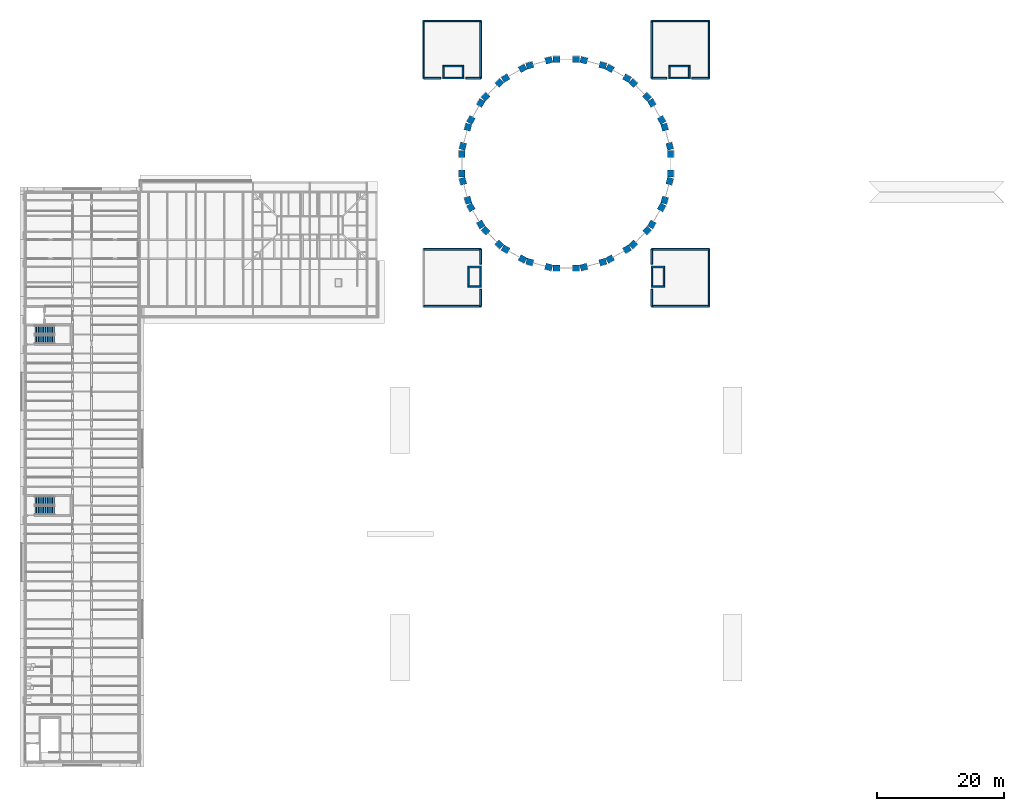
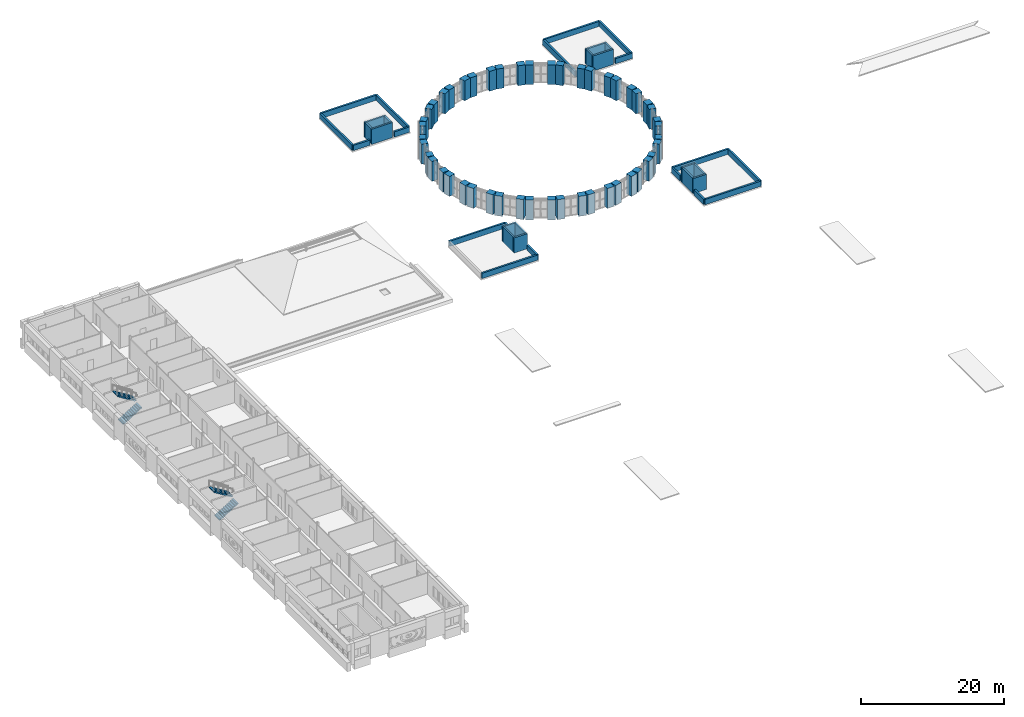
# One storey, part 30 of 42: 83 walls, 4 stair flights, 2 elements without a shape of their own.
"""IFC4 building model written with IfcOpenShell, lengths in metres."""

from ifc_helpers import new_model, si_unit, direction, frame, frame_2d, origin, place, context, subcontext, project, spatial, polyline, rectangle, outline, extrude, material, layer, layer_set, type_object, element, aggregate, save


model = new_model("IFC4")

# Units and contexts
model_context = context("Model", 3, precision=1e-05, world=origin(), true_north=direction((0.0, 1.0)))
body_context = subcontext(model_context, "Body", "Model", "MODEL_VIEW")
ifc_project = project(units=[si_unit("LENGTHUNIT", "METRE"), si_unit("AREAUNIT", "SQUARE_METRE"), si_unit("VOLUMEUNIT", "CUBIC_METRE"), si_unit("PLANEANGLEUNIT", "RADIAN"), si_unit("MASSUNIT", "GRAM", prefix="KILO")], contexts=[model_context])

# Site, building, storey
site_placement = place(None, origin())
site = spatial("IfcSite", under=ifc_project, at=site_placement, CompositionType="ELEMENT")
building_placement = place(site_placement, origin())
building = spatial("IfcBuilding", under=site, at=building_placement, Name="Golden Quay Civic Hall", CompositionType="ELEMENT")
storey_placement = place(building_placement, frame((0.0, 0.0, 22.800048828125)))
storey = spatial("IfcBuildingStorey", under=building, at=storey_placement, Name="L05", CompositionType="ELEMENT", Elevation=22.800048828125)

# Walls
ifc_material_1 = material(Name="Concrete C40/50", Category="concrete")
ifc_layer_1 = layer(ifc_material_1, 1.0)
ifc_layer_set_1 = layer_set([ifc_layer_1], Name="Reinforced concrete drum wall 1000, Concrete C40/50")
wall_type_1 = type_object("IfcWallType", Name="Reinforced concrete drum wall 1000", PredefinedType="SHEAR", material=ifc_layer_set_1)
for number, where, z_axis, x_axis, name in (
    (1, (101.98291015625, 87.73583984375, 0.300048828125), (0.0, 0.0, 1.0), (-0.258802254758, 0.965930325092, 0.0), "Council drum upper pier 1.1"),
    (2, (101.178955078125, 90.736328125, 0.300048828125), (0.0, 0.0, 1.0), (-0.258802254758, 0.965930325092, 0.0), "Council drum upper pier 1.2"),
    (3, (100.842529296875, 91.92578125, 0.300048828125), (0.0, 0.0, 1.0), (-0.499983483481, 0.866034939391, 0.0), "Council drum upper pier 2.1"),
    (4, (99.289306640625, 94.615966796875, 0.300048828125), (0.0, 0.0, 1.0), (-0.499983483481, 0.866034939391, 0.0), "Council drum upper pier 2.2"),
    (5, (98.65673828125, 95.677734375, 0.300048828125), (0.0, 0.0, 1.0), (-0.706996442298, 0.70721710286, 0.0), "Council drum upper pier 3.1"),
    (6, (96.460205078125, 97.87451171875, 0.300048828125), (0.0, 0.0, 1.0), (-0.70721710286, 0.706996442298, 0.0), "Council drum upper pier 3.2"),
    (7, (95.57421875, 98.736083984375, 0.300048828125), (0.0, 0.0, 1.0), (-0.866034939391, 0.499983483481, 0.0), "Council drum upper pier 4.1"),
    (8, (92.884033203125, 100.289306640625, 0.300048828125), (0.0, 0.0, 1.0), (-0.866034939391, 0.499983483481, 0.0), "Council drum upper pier 4.2"),
    (9, (91.80517578125, 100.892578125, 0.300048828125), (0.0, 0.0, 1.0), (-0.965930325092, 0.258802254758, 0.0), "Council drum upper pier 5.1"),
    (10, (88.8046875, 101.696533203125, 0.300048828125), (0.0, 0.0, 1.0), (-0.965930325092, 0.258802254758, 0.0), "Council drum upper pier 5.2"),
    (11, (87.6064453125, 102.0, 0.300048828125), (0.0, 0.0, 1.0), (-1.0, 0.0, 0.0), "Council drum upper pier 6.1"),
    (12, (84.5, 102.0, 0.300048828125), (0.0, 0.0, 1.0), (-1.0, 0.0, 0.0), "Council drum upper pier 6.2"),
    (13, (83.26416015625, 101.98291015625, 0.300048828125), (0.0, 0.0, 1.0), (-0.965930325092, -0.258802254758, 0.0), "Council drum upper pier 7.1"),
    (14, (80.263671875, 101.178955078125, 0.300048828125), (0.0, 0.0, 1.0), (-0.965930325092, -0.258802254758, 0.0), "Council drum upper pier 7.2"),
    (15, (79.07421875, 100.842529296875, 0.300048828125), (0.0, 0.0, 1.0), (-0.866034939391, -0.499983483481, 0.0), "Council drum upper pier 8.1"),
    (16, (76.384033203125, 99.289306640625, 0.300048828125), (0.0, 0.0, 1.0), (-0.866034939391, -0.499983483481, 0.0), "Council drum upper pier 8.2"),
    (17, (75.322265625, 98.65673828125, 0.300048828125), (0.0, 0.0, 1.0), (-0.70721710286, -0.706996442298, 0.0), "Council drum upper pier 9.1"),
    (18, (73.12548828125, 96.460205078125, 0.300048828125), (0.0, 0.0, 1.0), (-0.706996442298, -0.70721710286, 0.0), "Council drum upper pier 9.2"),
    (19, (72.263916015625, 95.57421875, 0.300048828125), (0.0, 0.0, 1.0), (-0.499983483481, -0.866034939391, 0.0), "Council drum upper pier 10.1"),
    (20, (70.710693359375, 92.884033203125, 0.300048828125), (0.0, 0.0, 1.0), (-0.499983483481, -0.866034939391, 0.0), "Council drum upper pier 10.2"),
    (21, (70.107421875, 91.80517578125, 0.300048828125), (0.0, 0.0, 1.0), (-0.258802254758, -0.965930325092, 0.0), "Council drum upper pier 11.1"),
    (22, (69.303466796875, 88.8046875, 0.300048828125), (0.0, 0.0, 1.0), (-0.258802254758, -0.965930325092, 0.0), "Council drum upper pier 11.2"),
    (23, (69.0, 87.6064453125, 0.300048828125), (0.0, 0.0, 1.0), (0.0, -1.0, 0.0), "Council drum upper pier 12.1"),
    (24, (69.0, 84.5, 0.300048828125), (0.0, 0.0, 1.0), (0.0, -1.0, 0.0), "Council drum upper pier 12.2"),
    (25, (69.01708984375, 83.26416015625, 0.300048828125), (0.0, 0.0, 1.0), (0.258802254758, -0.965930325092, 0.0), "Council drum upper pier 13.1"),
    (26, (69.821044921875, 80.263671875, 0.300048828125), (0.0, 0.0, 1.0), (0.258802254758, -0.965930325092, 0.0), "Council drum upper pier 13.2"),
    (27, (70.157470703125, 79.07421875, 0.300048828125), (0.0, 0.0, 1.0), (0.499983483481, -0.866034939391, 0.0), "Council drum upper pier 14.1"),
    (28, (71.710693359375, 76.384033203125, 0.300048828125), (0.0, 0.0, 1.0), (0.499983483481, -0.866034939391, 0.0), "Council drum upper pier 14.2"),
    (29, (72.34326171875, 75.322265625, 0.300048828125), (0.0, 0.0, 1.0), (0.706996442298, -0.70721710286, 0.0), "Council drum upper pier 15.1"),
    (30, (74.539794921875, 73.12548828125, 0.300048828125), (0.0, 0.0, 1.0), (0.70721710286, -0.706996442298, 0.0), "Council drum upper pier 15.2"),
    (31, (75.42578125, 72.263916015625, 0.300048828125), (0.0, 0.0, 1.0), (0.866034939391, -0.499983483481, 0.0), "Council drum upper pier 16.1"),
    (32, (78.115966796875, 70.710693359375, 0.300048828125), (0.0, 0.0, 1.0), (0.866034939391, -0.499983483481, 0.0), "Council drum upper pier 16.2"),
    (33, (79.19482421875, 70.107421875, 0.300048828125), (0.0, 0.0, 1.0), (0.965930325092, -0.258802254758, 0.0), "Council drum upper pier 17.1"),
    (34, (82.1953125, 69.303466796875, 0.300048828125), (0.0, 0.0, 1.0), (0.965930325092, -0.258802254758, 0.0), "Council drum upper pier 17.2"),
    (35, (83.3935546875, 69.0, 0.300048828125), (0.0, 0.0, 1.0), (1.0, 0.0, 0.0), "Council drum upper pier 18.1"),
    (36, (86.5, 69.0, 0.300048828125), (0.0, 0.0, 1.0), (1.0, 0.0, 0.0), "Council drum upper pier 18.2"),
    (37, (87.73583984375, 69.01708984375, 0.300048828125), (0.0, 0.0, 1.0), (0.965930325092, 0.258802254758, 0.0), "Council drum upper pier 19.1"),
    (38, (90.736328125, 69.821044921875, 0.300048828125), (0.0, 0.0, 1.0), (0.965930325092, 0.258802254758, 0.0), "Council drum upper pier 19.2"),
    (39, (91.92578125, 70.157470703125, 0.300048828125), (0.0, 0.0, 1.0), (0.866034939391, 0.499983483481, 0.0), "Council drum upper pier 20.1"),
    (40, (94.615966796875, 71.710693359375, 0.300048828125), (0.0, 0.0, 1.0), (0.866034939391, 0.499983483481, 0.0), "Council drum upper pier 20.2"),
    (41, (95.677734375, 72.34326171875, 0.300048828125), (0.0, 0.0, 1.0), (0.70721710286, 0.706996442298, 0.0), "Council drum upper pier 21.1"),
    (42, (97.87451171875, 74.539794921875, 0.300048828125), (0.0, 0.0, 1.0), (0.706996442298, 0.70721710286, 0.0), "Council drum upper pier 21.2"),
    (43, (98.736083984375, 75.42578125, 0.300048828125), (0.0, 0.0, 1.0), (0.499983483481, 0.866034939391, 0.0), "Council drum upper pier 22.1"),
    (44, (100.289306640625, 78.115966796875, 0.300048828125), (0.0, 0.0, 1.0), (0.499983483481, 0.866034939391, 0.0), "Council drum upper pier 22.2"),
    (45, (100.892578125, 79.19482421875, 0.300048828125), (0.0, 0.0, 1.0), (0.258802254758, 0.965930325092, 0.0), "Council drum upper pier 23.1"),
    (46, (101.696533203125, 82.1953125, 0.300048828125), (0.0, 0.0, 1.0), (0.258802254758, 0.965930325092, 0.0), "Council drum upper pier 23.2"),
    (47, (102.0, 83.3935546875, 0.300048828125), (0.0, 0.0, 1.0), (0.0, 1.0, 0.0), "Council drum upper pier 24.1"),
    (48, (102.0, 86.5, 0.300048828125), (0.0, 0.0, 1.0), (0.0, 1.0, 0.0), "Council drum upper pier 24.2"),
):
    element("IfcWall", number, at=place(storey_placement, frame(where, z_axis=z_axis, x_axis=x_axis)), inside=storey, type_object=wall_type_1, Name=name, PredefinedType="SHEAR", context=body_context, shape_type="SweptSolid", body=[
        extrude(rectangle(XDim=1.1064453125, YDim=1.0, at=frame_2d((0.55322265625, 0.0))), origin(), (0.0, 0.0, 1.0), 3.39990234375),
    ])
ifc_material_2 = material(Name="Concrete C40/50", Category="concrete")
ifc_layer_2 = layer(ifc_material_2, 0.25)
ifc_layer_set_2 = layer_set([ifc_layer_2], Name="Reinforced concrete lift overrun wall 250, Concrete C40/50")
wall_type_2 = type_object("IfcWallType", Name="Reinforced concrete lift overrun wall 250", PredefinedType="SHEAR", material=ifc_layer_set_2)
for number, where, z_axis, x_axis, name in (
    (49, (69.949951171875, 66.074951171875, 0.0), (0.0, 0.0, 1.0), (1.0, 0.0, 0.0), "Lift overrun wall SW s"),
    (50, (69.949951171875, 69.175048828125, 0.0), (0.0, 0.0, 1.0), (1.0, 0.0, 0.0), "Lift overrun wall SW n"),
):
    element("IfcWall", number, at=place(storey_placement, frame(where, z_axis=z_axis, x_axis=x_axis)), inside=storey, type_object=wall_type_2, Name=name, PredefinedType="SHEAR", context=body_context, shape_type="SweptSolid", body=[
        extrude(rectangle(XDim=2.150146484375, YDim=0.25, at=frame_2d((1.0751953125, 0.0))), origin(), (0.0, 0.0, 1.0), 2.599853515625),
    ])
for number, where, z_axis, x_axis, name in (
    (51, (70.074951171875, 66.199951171875, 0.0), (0.0, 0.0, 1.0), (0.0, 1.0, 0.0), "Lift overrun wall SW w"),
    (52, (71.97509765625, 66.199951171875, 0.0), (0.0, 0.0, 1.0), (0.0, 1.0, 0.0), "Lift overrun wall SW e"),
):
    element("IfcWall", number, at=place(storey_placement, frame(where, z_axis=z_axis, x_axis=x_axis)), inside=storey, type_object=wall_type_2, Name=name, PredefinedType="SHEAR", context=body_context, shape_type="SweptSolid", body=[
        extrude(rectangle(XDim=2.85009765625, YDim=0.25, at=frame_2d((1.425048828125, 0.0))), origin(), (0.0, 0.0, 1.0), 2.599853515625),
    ])
for number, where, z_axis, x_axis, name in (
    (53, (98.89990234375, 66.074951171875, 0.0), (0.0, 0.0, 1.0), (1.0, 0.0, 0.0), "Lift overrun wall SE s"),
    (54, (98.89990234375, 69.175048828125, 0.0), (0.0, 0.0, 1.0), (1.0, 0.0, 0.0), "Lift overrun wall SE n"),
):
    element("IfcWall", number, at=place(storey_placement, frame(where, z_axis=z_axis, x_axis=x_axis)), inside=storey, type_object=wall_type_2, Name=name, PredefinedType="SHEAR", context=body_context, shape_type="SweptSolid", body=[
        extrude(rectangle(XDim=2.150146484375, YDim=0.25, at=frame_2d((1.0751953125, 0.0))), origin(), (0.0, 0.0, 1.0), 2.599853515625),
    ])
for number, where, z_axis, x_axis, name in (
    (55, (99.02490234375, 66.199951171875, 0.0), (0.0, 0.0, 1.0), (0.0, 1.0, 0.0), "Lift overrun wall SE w"),
    (56, (100.925048828125, 66.199951171875, 0.0), (0.0, 0.0, 1.0), (0.0, 1.0, 0.0), "Lift overrun wall SE e"),
):
    element("IfcWall", number, at=place(storey_placement, frame(where, z_axis=z_axis, x_axis=x_axis)), inside=storey, type_object=wall_type_2, Name=name, PredefinedType="SHEAR", context=body_context, shape_type="SweptSolid", body=[
        extrude(rectangle(XDim=2.85009765625, YDim=0.25, at=frame_2d((1.425048828125, 0.0))), origin(), (0.0, 0.0, 1.0), 2.599853515625),
    ])
for number, where, z_axis, x_axis, name in (
    (57, (65.949951171875, 99.02490234375, 0.0), (0.0, 0.0, 1.0), (1.0, 0.0, 0.0), "Lift overrun wall NW s"),
    (58, (65.949951171875, 100.925048828125, 0.0), (0.0, 0.0, 1.0), (1.0, 0.0, 0.0), "Lift overrun wall NW n"),
):
    element("IfcWall", number, at=place(storey_placement, frame(where, z_axis=z_axis, x_axis=x_axis)), inside=storey, type_object=wall_type_2, Name=name, PredefinedType="SHEAR", context=body_context, shape_type="SweptSolid", body=[
        extrude(rectangle(XDim=3.35009765625, YDim=0.25, at=frame_2d((1.675048828125, 0.0))), origin(), (0.0, 0.0, 1.0), 2.599853515625),
    ])
for number, where, z_axis, x_axis, name in (
    (59, (66.074951171875, 99.14990234375, 0.0), (0.0, 0.0, 1.0), (0.0, 1.0, 0.0), "Lift overrun wall NW w"),
    (60, (69.175048828125, 99.14990234375, 0.0), (0.0, 0.0, 1.0), (0.0, 1.0, 0.0), "Lift overrun wall NW e"),
):
    element("IfcWall", number, at=place(storey_placement, frame(where, z_axis=z_axis, x_axis=x_axis)), inside=storey, type_object=wall_type_2, Name=name, PredefinedType="SHEAR", context=body_context, shape_type="SweptSolid", body=[
        extrude(rectangle(XDim=1.650146484375, YDim=0.25, at=frame_2d((0.8251953125, 0.0))), origin(), (0.0, 0.0, 1.0), 2.599853515625),
    ])
for number, where, z_axis, x_axis, name in (
    (61, (101.699951171875, 99.02490234375, 0.0), (0.0, 0.0, 1.0), (1.0, 0.0, 0.0), "Lift overrun wall NE s"),
    (62, (101.699951171875, 100.925048828125, 0.0), (0.0, 0.0, 1.0), (1.0, 0.0, 0.0), "Lift overrun wall NE n"),
):
    element("IfcWall", number, at=place(storey_placement, frame(where, z_axis=z_axis, x_axis=x_axis)), inside=storey, type_object=wall_type_2, Name=name, PredefinedType="SHEAR", context=body_context, shape_type="SweptSolid", body=[
        extrude(rectangle(XDim=3.35009765625, YDim=0.25, at=frame_2d((1.675048828125, 0.0))), origin(), (0.0, 0.0, 1.0), 2.599853515625),
    ])
for number, where, z_axis, x_axis, name in (
    (63, (101.824951171875, 99.14990234375, 0.0), (0.0, 0.0, 1.0), (0.0, 1.0, 0.0), "Lift overrun wall NE w"),
    (64, (104.925048828125, 99.14990234375, 0.0), (0.0, 0.0, 1.0), (0.0, 1.0, 0.0), "Lift overrun wall NE e"),
):
    element("IfcWall", number, at=place(storey_placement, frame(where, z_axis=z_axis, x_axis=x_axis)), inside=storey, type_object=wall_type_2, Name=name, PredefinedType="SHEAR", context=body_context, shape_type="SweptSolid", body=[
        extrude(rectangle(XDim=1.650146484375, YDim=0.25, at=frame_2d((0.8251953125, 0.0))), origin(), (0.0, 0.0, 1.0), 2.599853515625),
    ])
ifc_material_3 = material(Name="Brick masonry with render", Category="masonry")
ifc_layer_3 = layer(ifc_material_3, 0.300048828125)
ifc_layer_set_3 = layer_set([ifc_layer_3], Name="Rendered brick parapet 300")
wall_type_3 = type_object("IfcWallType", Name="Rendered brick parapet 300", PredefinedType="PARAPET", material=ifc_layer_set_3)
wall_1_placement = place(storey_placement, frame((62.949951171875, 62.949951171875, 0.0), z_axis=(0.0, 0.0, 1.0), x_axis=(1.0, 0.0, 0.0)))
element("IfcWall", 65, at=wall_1_placement, inside=storey, type_object=wall_type_3, Name="Core roof parapet SW 1", PredefinedType="PARAPET", context=body_context, shape_type="SweptSolid", body=[
    extrude(rectangle(XDim=9.050048828125, YDim=0.300048828125, at=frame_2d((4.52490234375, 0.0))), origin(), (0.0, 0.0, 1.0), 0.89990234375),
])
wall_2_placement = place(storey_placement, frame((72.0, 62.949951171875, 0.0), z_axis=(0.0, 0.0, 1.0), x_axis=(0.0, 1.0, 0.0)))
element("IfcWall", 66, at=wall_2_placement, inside=storey, type_object=wall_type_3, Name="Core roof parapet SW 2", PredefinedType="PARAPET", context=body_context, shape_type="SweptSolid", body=[
    extrude(rectangle(XDim=2.699951171875, YDim=0.300048828125, at=frame_2d((1.35009765625, 0.0))), origin(), (0.0, 0.0, 1.0), 0.89990234375),
])
wall_3_placement = place(storey_placement, frame((72.0, 69.60009765625, 0.0), z_axis=(0.0, 0.0, 1.0), x_axis=(0.0, 1.0, 0.0)))
element("IfcWall", 67, at=wall_3_placement, inside=storey, type_object=wall_type_3, Name="Core roof parapet SW 3", PredefinedType="PARAPET", context=body_context, shape_type="SweptSolid", body=[
    extrude(rectangle(XDim=2.39990234375, YDim=0.300048828125, at=frame_2d((1.199951171875, 0.0))), origin(), (0.0, 0.0, 1.0), 0.89990234375),
])
for number, where, z_axis, x_axis, name in (
    (68, (72.0, 72.0, 0.0), (0.0, 0.0, 1.0), (-1.0, 0.0, 0.0), "Core roof parapet SW 4"),
    (69, (99.0, 62.949951171875, 0.0), (0.0, 0.0, 1.0), (1.0, 0.0, 0.0), "Core roof parapet SE 1"),
    (70, (108.050048828125, 62.949951171875, 0.0), (0.0, 0.0, 1.0), (0.0, 1.0, 0.0), "Core roof parapet SE 2"),
    (71, (108.050048828125, 72.0, 0.0), (0.0, 0.0, 1.0), (-1.0, 0.0, 0.0), "Core roof parapet SE 3"),
):
    element("IfcWall", number, at=place(storey_placement, frame(where, z_axis=z_axis, x_axis=x_axis)), inside=storey, type_object=wall_type_3, Name=name, PredefinedType="PARAPET", context=body_context, shape_type="SweptSolid", body=[
        extrude(rectangle(XDim=9.050048828125, YDim=0.300048828125, at=frame_2d((4.52490234375, 0.0))), origin(), (0.0, 0.0, 1.0), 0.89990234375),
    ])
wall_4_placement = place(storey_placement, frame((99.0, 72.0, 0.0), z_axis=(0.0, 0.0, 1.0), x_axis=(0.0, -1.0, 0.0)))
element("IfcWall", 72, at=wall_4_placement, inside=storey, type_object=wall_type_3, Name="Core roof parapet SE 4", PredefinedType="PARAPET", context=body_context, shape_type="SweptSolid", body=[
    extrude(rectangle(XDim=2.39990234375, YDim=0.300048828125, at=frame_2d((1.199951171875, 0.0))), origin(), (0.0, 0.0, 1.0), 0.89990234375),
])
for number, where, z_axis, x_axis, name in (
    (73, (99.0, 65.64990234375, 0.0), (0.0, 0.0, 1.0), (0.0, -1.0, 0.0), "Core roof parapet SE 5"),
    (74, (62.949951171875, 99.0, 0.0), (0.0, 0.0, 1.0), (1.0, 0.0, 0.0), "Core roof parapet NW 1"),
):
    element("IfcWall", number, at=place(storey_placement, frame(where, z_axis=z_axis, x_axis=x_axis)), inside=storey, type_object=wall_type_3, Name=name, PredefinedType="PARAPET", context=body_context, shape_type="SweptSolid", body=[
        extrude(rectangle(XDim=2.699951171875, YDim=0.300048828125, at=frame_2d((1.35009765625, 0.0))), origin(), (0.0, 0.0, 1.0), 0.89990234375),
    ])
wall_5_placement = place(storey_placement, frame((69.60009765625, 99.0, 0.0), z_axis=(0.0, 0.0, 1.0), x_axis=(1.0, 0.0, 0.0)))
element("IfcWall", 75, at=wall_5_placement, inside=storey, type_object=wall_type_3, Name="Core roof parapet NW 2", PredefinedType="PARAPET", context=body_context, shape_type="SweptSolid", body=[
    extrude(rectangle(XDim=2.39990234375, YDim=0.300048828125, at=frame_2d((1.199951171875, 0.0))), origin(), (0.0, 0.0, 1.0), 0.89990234375),
])
for number, where, z_axis, x_axis, name in (
    (76, (72.0, 99.0, 0.0), (0.0, 0.0, 1.0), (0.0, 1.0, 0.0), "Core roof parapet NW 3"),
    (77, (72.0, 108.050048828125, 0.0), (0.0, 0.0, 1.0), (-1.0, 0.0, 0.0), "Core roof parapet NW 4"),
    (78, (62.949951171875, 108.050048828125, 0.0), (0.0, 0.0, 1.0), (0.0, -1.0, 0.0), "Core roof parapet NW 5"),
):
    element("IfcWall", number, at=place(storey_placement, frame(where, z_axis=z_axis, x_axis=x_axis)), inside=storey, type_object=wall_type_3, Name=name, PredefinedType="PARAPET", context=body_context, shape_type="SweptSolid", body=[
        extrude(rectangle(XDim=9.050048828125, YDim=0.300048828125, at=frame_2d((4.52490234375, 0.0))), origin(), (0.0, 0.0, 1.0), 0.89990234375),
    ])
wall_6_placement = place(storey_placement, frame((99.0, 99.0, 0.0), z_axis=(0.0, 0.0, 1.0), x_axis=(1.0, 0.0, 0.0)))
element("IfcWall", 79, at=wall_6_placement, inside=storey, type_object=wall_type_3, Name="Core roof parapet NE 1", PredefinedType="PARAPET", context=body_context, shape_type="SweptSolid", body=[
    extrude(rectangle(XDim=2.39990234375, YDim=0.300048828125, at=frame_2d((1.199951171875, 0.0))), origin(), (0.0, 0.0, 1.0), 0.89990234375),
])
wall_7_placement = place(storey_placement, frame((105.35009765625, 99.0, 0.0), z_axis=(0.0, 0.0, 1.0), x_axis=(1.0, 0.0, 0.0)))
element("IfcWall", 80, at=wall_7_placement, inside=storey, type_object=wall_type_3, Name="Core roof parapet NE 2", PredefinedType="PARAPET", context=body_context, shape_type="SweptSolid", body=[
    extrude(rectangle(XDim=2.699951171875, YDim=0.300048828125, at=frame_2d((1.35009765625, 0.0))), origin(), (0.0, 0.0, 1.0), 0.89990234375),
])
for number, where, z_axis, x_axis, name in (
    (81, (108.050048828125, 99.0, 0.0), (0.0, 0.0, 1.0), (0.0, 1.0, 0.0), "Core roof parapet NE 3"),
    (82, (108.050048828125, 108.050048828125, 0.0), (0.0, 0.0, 1.0), (-1.0, 0.0, 0.0), "Core roof parapet NE 4"),
    (83, (99.0, 108.050048828125, 0.0), (0.0, 0.0, 1.0), (0.0, -1.0, 0.0), "Core roof parapet NE 5"),
):
    element("IfcWall", number, at=place(storey_placement, frame(where, z_axis=z_axis, x_axis=x_axis)), inside=storey, type_object=wall_type_3, Name=name, PredefinedType="PARAPET", context=body_context, shape_type="SweptSolid", body=[
        extrude(rectangle(XDim=9.050048828125, YDim=0.300048828125, at=frame_2d((4.52490234375, 0.0))), origin(), (0.0, 0.0, 1.0), 0.89990234375),
    ])

# Stair, stair flights
ifc_material_4 = material(Name="Concrete C35/45", Category="concrete")
stair_type = type_object("IfcStairType", Name="Concrete stair 1350 wide 24 risers of 175.0", PredefinedType="HALF_TURN_STAIR", material=ifc_material_4)
stair_1_placement = place(storey_placement, origin())
stair_1 = element("IfcStair", 84, at=stair_1_placement, inside=storey, type_object=stair_type, Name="L05 Stair WO-N", PredefinedType="HALF_TURN_STAIR")
ifc_material_5 = material(Name="Concrete C35/45", Category="concrete")
stair_flight_type = type_object("IfcStairFlightType", Name="Concrete stair flight 1350 wide 12 risers of 175.0", PredefinedType="STRAIGHT", material=ifc_material_5)
stair_flight_1_placement = place(storey_placement, frame((1.550048828125, 57.75, 0.0), z_axis=(0.0, 0.0, 1.0), x_axis=(1.0, 0.0, 0.0)))
stair_flight_1 = element("IfcStairFlight", 85, at=stair_flight_1_placement, type_object=stair_flight_type, Name="WO-N flight 1", NumberOfRisers=12, NumberOfTreads=11, PredefinedType="STRAIGHT", RiserHeight=0.175, TreadLength=0.28, context=body_context, shape_type="SweptSolid", body=[
    extrude(outline(polyline([(0.0, 0.0), (0.0, 0.175048828125), (0.280029296875, 0.175048828125), (0.280029296875, 0.35009765625), (0.56005859375, 0.35009765625), (0.56005859375, 0.52490234375), (0.840087890625, 0.52490234375), (0.840087890625, 0.699951171875), (1.1201171875, 0.699951171875), (1.1201171875, 0.875), (1.39990234375, 0.875), (1.39990234375, 1.050048828125), (1.679931640625, 1.050048828125), (1.679931640625, 1.22509765625), (1.9599609375, 1.22509765625), (1.9599609375, 1.39990234375), (2.239990234375, 1.39990234375), (2.239990234375, 1.574951171875), (2.52001953125, 1.574951171875), (2.52001953125, 1.75), (2.800048828125, 1.75), (2.800048828125, 1.925048828125), (3.080078125, 1.925048828125), (3.080078125, 2.10009765625), (3.080078125, 1.748291015625), (0.28271484375, 0.0), (0.0, 0.0)])), frame((0.0, 0.675048828125, 0.0), z_axis=(0.0, -1.0, 0.0), x_axis=(1.0, 0.0, 0.0)), (0.0, 0.0, 1.0), 1.35),
])
stair_flight_2_placement = place(storey_placement, frame((4.6298828125, 59.25, 2.099853515625), z_axis=(0.0, 0.0, 1.0), x_axis=(-1.0, 0.0, 0.0)))
stair_flight_2 = element("IfcStairFlight", 86, at=stair_flight_2_placement, type_object=stair_flight_type, Name="WO-N flight 2", NumberOfRisers=12, NumberOfTreads=11, PredefinedType="STRAIGHT", RiserHeight=0.175, TreadLength=0.28, context=body_context, shape_type="SweptSolid", body=[
    extrude(outline(polyline([(0.0, 0.0), (0.0, 0.175048828125), (0.280029296875, 0.175048828125), (0.280029296875, 0.35009765625), (0.56005859375, 0.35009765625), (0.56005859375, 0.52490234375), (0.840087890625, 0.52490234375), (0.840087890625, 0.699951171875), (1.1201171875, 0.699951171875), (1.1201171875, 0.875), (1.39990234375, 0.875), (1.39990234375, 1.050048828125), (1.679931640625, 1.050048828125), (1.679931640625, 1.22509765625), (1.9599609375, 1.22509765625), (1.9599609375, 1.39990234375), (2.239990234375, 1.39990234375), (2.239990234375, 1.574951171875), (2.52001953125, 1.574951171875), (2.52001953125, 1.75), (2.800048828125, 1.75), (2.800048828125, 1.925048828125), (3.080078125, 1.925048828125), (3.080078125, 2.10009765625), (3.080078125, 1.748291015625), (0.28271484375, 0.0), (0.0, 0.0)])), frame((0.0, 0.675048828125, 0.0), z_axis=(0.0, -1.0, 0.0), x_axis=(1.0, 0.0, 0.0)), (0.0, 0.0, 1.0), 1.35),
])
aggregate(stair_1, [stair_flight_1, stair_flight_2])

stair_2_placement = place(storey_placement, origin())
stair_2 = element("IfcStair", 87, at=stair_2_placement, inside=storey, type_object=stair_type, Name="L05 Stair WO-M", PredefinedType="HALF_TURN_STAIR")
stair_flight_3_placement = place(storey_placement, frame((1.550048828125, 30.75, 0.0), z_axis=(0.0, 0.0, 1.0), x_axis=(1.0, 0.0, 0.0)))
stair_flight_3 = element("IfcStairFlight", 88, at=stair_flight_3_placement, type_object=stair_flight_type, Name="WO-M flight 1", NumberOfRisers=12, NumberOfTreads=11, PredefinedType="STRAIGHT", RiserHeight=0.175, TreadLength=0.28, context=body_context, shape_type="SweptSolid", body=[
    extrude(outline(polyline([(0.0, 0.0), (0.0, 0.175048828125), (0.280029296875, 0.175048828125), (0.280029296875, 0.35009765625), (0.56005859375, 0.35009765625), (0.56005859375, 0.52490234375), (0.840087890625, 0.52490234375), (0.840087890625, 0.699951171875), (1.1201171875, 0.699951171875), (1.1201171875, 0.875), (1.39990234375, 0.875), (1.39990234375, 1.050048828125), (1.679931640625, 1.050048828125), (1.679931640625, 1.22509765625), (1.9599609375, 1.22509765625), (1.9599609375, 1.39990234375), (2.239990234375, 1.39990234375), (2.239990234375, 1.574951171875), (2.52001953125, 1.574951171875), (2.52001953125, 1.75), (2.800048828125, 1.75), (2.800048828125, 1.925048828125), (3.080078125, 1.925048828125), (3.080078125, 2.10009765625), (3.080078125, 1.748291015625), (0.28271484375, 0.0), (0.0, 0.0)])), frame((0.0, 0.675048828125, 0.0), z_axis=(0.0, -1.0, 0.0), x_axis=(1.0, 0.0, 0.0)), (0.0, 0.0, 1.0), 1.35),
])
stair_flight_4_placement = place(storey_placement, frame((4.6298828125, 32.25, 2.099853515625), z_axis=(0.0, 0.0, 1.0), x_axis=(-1.0, 0.0, 0.0)))
stair_flight_4 = element("IfcStairFlight", 89, at=stair_flight_4_placement, type_object=stair_flight_type, Name="WO-M flight 2", NumberOfRisers=12, NumberOfTreads=11, PredefinedType="STRAIGHT", RiserHeight=0.175, TreadLength=0.28, context=body_context, shape_type="SweptSolid", body=[
    extrude(outline(polyline([(0.0, 0.0), (0.0, 0.175048828125), (0.280029296875, 0.175048828125), (0.280029296875, 0.35009765625), (0.56005859375, 0.35009765625), (0.56005859375, 0.52490234375), (0.840087890625, 0.52490234375), (0.840087890625, 0.699951171875), (1.1201171875, 0.699951171875), (1.1201171875, 0.875), (1.39990234375, 0.875), (1.39990234375, 1.050048828125), (1.679931640625, 1.050048828125), (1.679931640625, 1.22509765625), (1.9599609375, 1.22509765625), (1.9599609375, 1.39990234375), (2.239990234375, 1.39990234375), (2.239990234375, 1.574951171875), (2.52001953125, 1.574951171875), (2.52001953125, 1.75), (2.800048828125, 1.75), (2.800048828125, 1.925048828125), (3.080078125, 1.925048828125), (3.080078125, 2.10009765625), (3.080078125, 1.748291015625), (0.28271484375, 0.0), (0.0, 0.0)])), frame((0.0, 0.675048828125, 0.0), z_axis=(0.0, -1.0, 0.0), x_axis=(1.0, 0.0, 0.0)), (0.0, 0.0, 1.0), 1.35),
])
aggregate(stair_2, [stair_flight_3, stair_flight_4])

save(model, "model.ifc")
